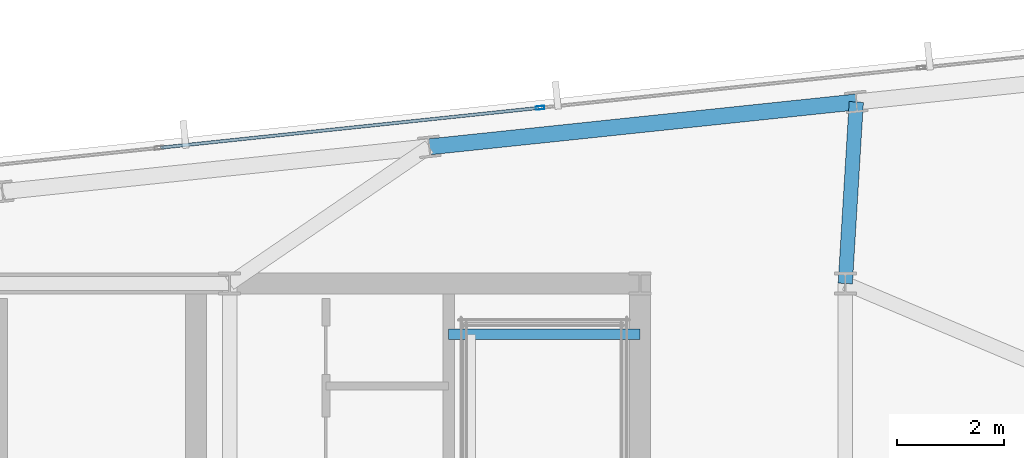
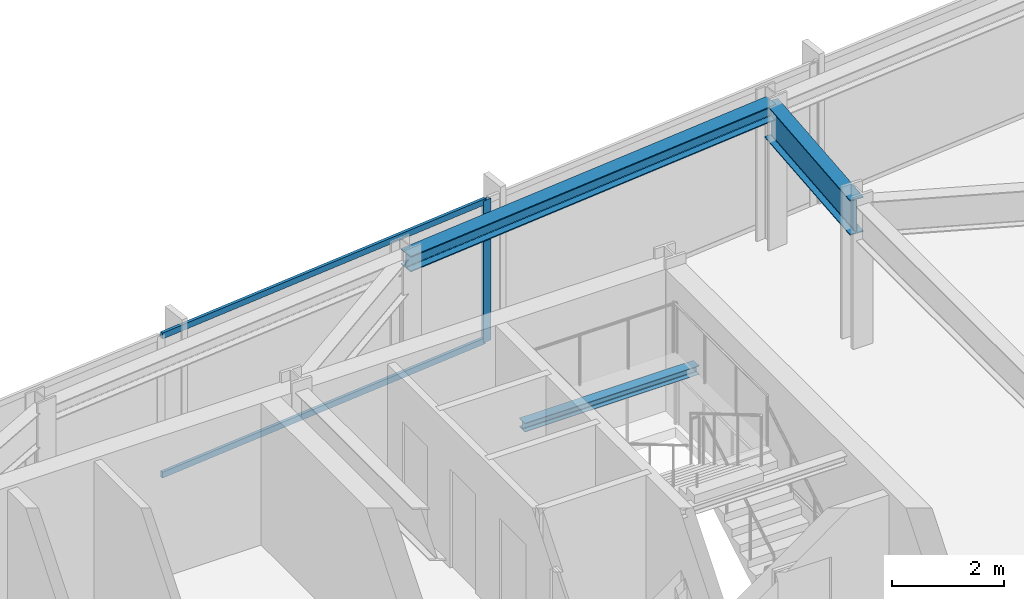
# One storey, part 23 of 33: 3 beams, 3 members, 1 element without a shape of its own.
"""IFC4 building model written with IfcOpenShell, lengths in metres."""

from ifc_helpers import new_model, si_unit, direction, frame, origin, origin_2d, place, context, subcontext, project, spatial, hollow_rectangle, i_section, extrude, material, material_profile, profile_set, type_object, element, aggregate, save


model = new_model("IFC4")

# Units and contexts
model_context = context("Model", 3, precision=1e-05, world=origin(), true_north=direction((0.0, 1.0)))
body_context = subcontext(model_context, "Body", "Model", "MODEL_VIEW")
ifc_project = project(units=[si_unit("LENGTHUNIT", "METRE"), si_unit("AREAUNIT", "SQUARE_METRE"), si_unit("VOLUMEUNIT", "CUBIC_METRE"), si_unit("PLANEANGLEUNIT", "RADIAN"), si_unit("MASSUNIT", "GRAM", prefix="KILO")], contexts=[model_context])

# Site, building, storey
site_placement = place(None, origin())
site = spatial("IfcSite", under=ifc_project, at=site_placement, CompositionType="ELEMENT")
building_placement = place(site_placement, origin())
building = spatial("IfcBuilding", under=site, at=building_placement, Name="Yelkora Congress Tower", CompositionType="ELEMENT")
storey_placement = place(building_placement, frame((0.0, 0.0, 234.199951171875)))
storey = spatial("IfcBuildingStorey", under=building, at=storey_placement, Name="L65", CompositionType="ELEMENT", Elevation=234.199951171875)

# Beams
ifc_material_1 = material(Name="Steel S355J2", Category="steel")
ifc_material_profile_1 = material_profile(ifc_material_1, i_section(OverallWidth=0.26708984375, OverallDepth=0.761962890625, WebThickness=0.014404296875, FlangeThickness=0.021484375, FilletRadius=0.01708984375, at=origin_2d()), Name="IPE 750x173")
ifc_profile_set_1 = profile_set([ifc_material_profile_1], Name="Steel S355J2")
beam_type_1 = type_object("IfcBeamType", Name="BM-GIRD-IPE750", PredefinedType="BEAM", material=ifc_profile_set_1)
beam_1_placement = place(storey_placement, frame((57.806640625, 49.5966796875, 2.698974609375), z_axis=(-0.060694337224, -0.998156399283, 0.0), x_axis=(0.998156399283, -0.060694337224, 0.0)))
element("IfcBeam", 1, at=beam_1_placement, inside=storey, type_object=beam_type_1, Name="L65 Primary Frame Girder N06", PredefinedType="BEAM", context=body_context, shape_type="SweptSolid", body=[
    extrude(i_section(OverallWidth=0.26708984375, OverallDepth=0.761962890625, WebThickness=0.014404296875, FlangeThickness=0.021484375, FilletRadius=0.01708984375, at=origin_2d()), origin(), (0.0, 0.0, 1.0), 3.403076171875),
])
ifc_material_profile_2 = material_profile(ifc_material_1, i_section(OverallWidth=0.199951171875, OverallDepth=0.18994140625, WebThickness=0.006591796875, FlangeThickness=0.010009765625, FilletRadius=0.01806640625, at=origin_2d()), Name="HEA 200")
ifc_profile_set_2 = profile_set([ifc_material_profile_2], Name="Steel S355J2")
beam_type_2 = type_object("IfcBeamType", Name="BM-LAND-HEA200", PredefinedType="BEAM", material=ifc_profile_set_2)
beam_2_placement = place(storey_placement, frame((50.179931640625, 45.25, 1.334716796875), z_axis=(1.0, 0.0, 0.0), x_axis=(0.0, 1.0, 0.0)))
element("IfcBeam", 2, at=beam_2_placement, inside=storey, type_object=beam_type_2, Name="ST-02 L65 Landing Header Beam 1N", PredefinedType="BEAM", context=body_context, shape_type="SweptSolid", body=[
    extrude(i_section(OverallWidth=0.199951171875, OverallDepth=0.18994140625, WebThickness=0.006591796875, FlangeThickness=0.010009765625, FilletRadius=0.01806640625, at=origin_2d()), origin(), (0.0, 0.0, 1.0), 3.580078125),
])
ifc_material_profile_3 = material_profile(ifc_material_1, i_section(OverallWidth=0.300048828125, OverallDepth=0.340087890625, WebThickness=0.011962890625, FlangeThickness=0.021484375, FilletRadius=0.027099609375, at=origin_2d()), Name="HEB 340")
ifc_profile_set_3 = profile_set([ifc_material_profile_3], Name="Steel S355J2")
beam_type_3 = type_object("IfcBeamType", Name="BM-SPAN-HEB340", PredefinedType="SPANDREL", material=ifc_profile_set_3)
beam_3_placement = place(storey_placement, frame((57.806640625, 49.5966796875, 2.91015625), z_axis=(-0.994523256947, -0.104515507904, 0.0), x_axis=(0.104515507904, -0.994523256947, 0.0)))
element("IfcBeam", 3, at=beam_3_placement, inside=storey, type_object=beam_type_3, Name="L65 Perimeter Beam 14", PredefinedType="SPANDREL", context=body_context, shape_type="SweptSolid", body=[
    extrude(i_section(OverallWidth=0.300048828125, OverallDepth=0.340087890625, WebThickness=0.011962890625, FlangeThickness=0.021484375, FilletRadius=0.027099609375, at=origin_2d()), origin(), (0.0, 0.0, 1.0), 8.033203125),
])

# Curtain wall, members
ifc_material_2 = material(Name="Anodised aluminium and insulated glass", Category="aluminium")
curtain_wall_type = type_object("IfcCurtainWallType", Name="CW-SYS-B4", PredefinedType="NOTDEFINED", material=ifc_material_2)
curtain_wall_placement = place(storey_placement, origin())
curtain_wall = element("IfcCurtainWall", 4, at=curtain_wall_placement, inside=storey, type_object=curtain_wall_type, Name="L65 Unitised Curtain Wall 10 (3)", PredefinedType="NOTDEFINED")
ifc_material_3 = material(Name="Anodised aluminium 6063-T6", Category="aluminium")
ifc_material_profile_4 = material_profile(ifc_material_3, hollow_rectangle(XDim=0.06494140625, YDim=0.159912109375, WallThickness=0.00390625, at=origin_2d()), Name="ALU 65x160x4")
ifc_profile_set_4 = profile_set([ifc_material_profile_4], Name="Anodised aluminium 6063-T6")
member_type_1 = type_object("IfcMemberType", Name="MEM-ML-B4", PredefinedType="MULLION", material=ifc_profile_set_4)
member_1_placement = place(storey_placement, frame((51.888916015625, 49.487548828125, 0.0), z_axis=(0.0, 0.0, 1.0), x_axis=(-0.104527724021, 0.994521973066, 0.0)))
member_1 = element("IfcMember", 5, at=member_1_placement, type_object=member_type_1, Name="CW-B4 mullion 5", PredefinedType="MULLION", context=body_context, shape_type="SweptSolid", body=[
    extrude(hollow_rectangle(XDim=0.06494140625, YDim=0.159912109375, WallThickness=0.00390625, at=origin_2d()), origin(), (0.0, 0.0, 1.0), 3.080078125),
])
ifc_material_profile_5 = material_profile(ifc_material_3, hollow_rectangle(XDim=0.06005859375, YDim=0.1298828125, WallThickness=0.00390625, at=origin_2d()), Name="ALU 60x130x4")
ifc_profile_set_5 = profile_set([ifc_material_profile_5], Name="Anodised aluminium 6063-T6")
member_type_2 = type_object("IfcMemberType", Name="MEM-TR-B4", PredefinedType="USERDEFINED", material=ifc_profile_set_5)
member_2_placement = place(storey_placement, frame((44.79052734375, 48.74169921875, 0.030029296875), z_axis=(0.99452200925, 0.104527379751, 0.0), x_axis=(-0.104527379751, 0.99452200925, 0.0)))
member_2 = element("IfcMember", 6, at=member_2_placement, type_object=member_type_2, Name="CW-B4 transom 4.1", ObjectType="TRANSOM", PredefinedType="USERDEFINED", context=body_context, shape_type="SweptSolid", body=[
    extrude(hollow_rectangle(XDim=0.06005859375, YDim=0.1298828125, WallThickness=0.00390625, at=origin_2d()), origin(), (0.0, 0.0, 1.0), 7.10498046875),
])
member_3_placement = place(storey_placement, frame((44.79052734375, 48.74169921875, 3.050048828125), z_axis=(0.99452200925, 0.104527379751, 0.0), x_axis=(-0.104527379751, 0.99452200925, 0.0)))
member_3 = element("IfcMember", 7, at=member_3_placement, type_object=member_type_2, Name="CW-B4 transom 4.2", ObjectType="TRANSOM", PredefinedType="USERDEFINED", context=body_context, shape_type="SweptSolid", body=[
    extrude(hollow_rectangle(XDim=0.06005859375, YDim=0.1298828125, WallThickness=0.00390625, at=origin_2d()), origin(), (0.0, 0.0, 1.0), 7.10498046875),
])
aggregate(curtain_wall, [member_1, member_2, member_3])

save(model, "model.ifc")
